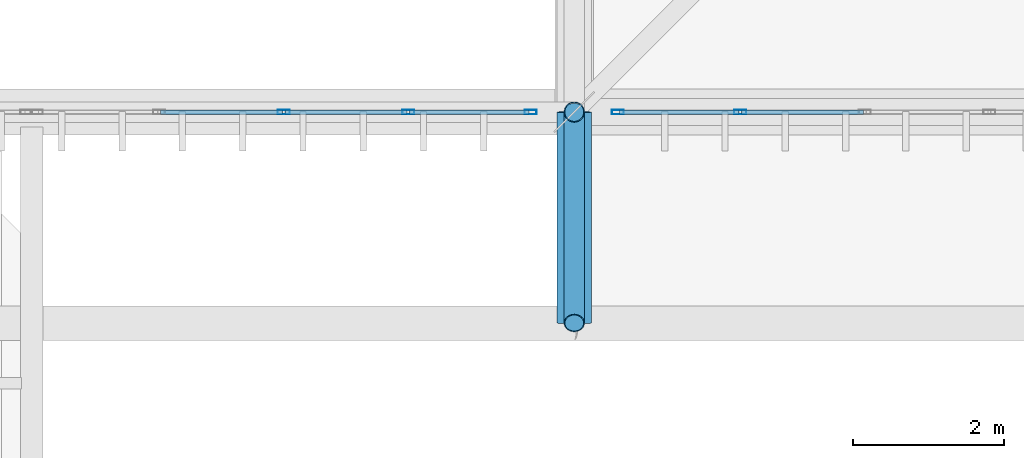
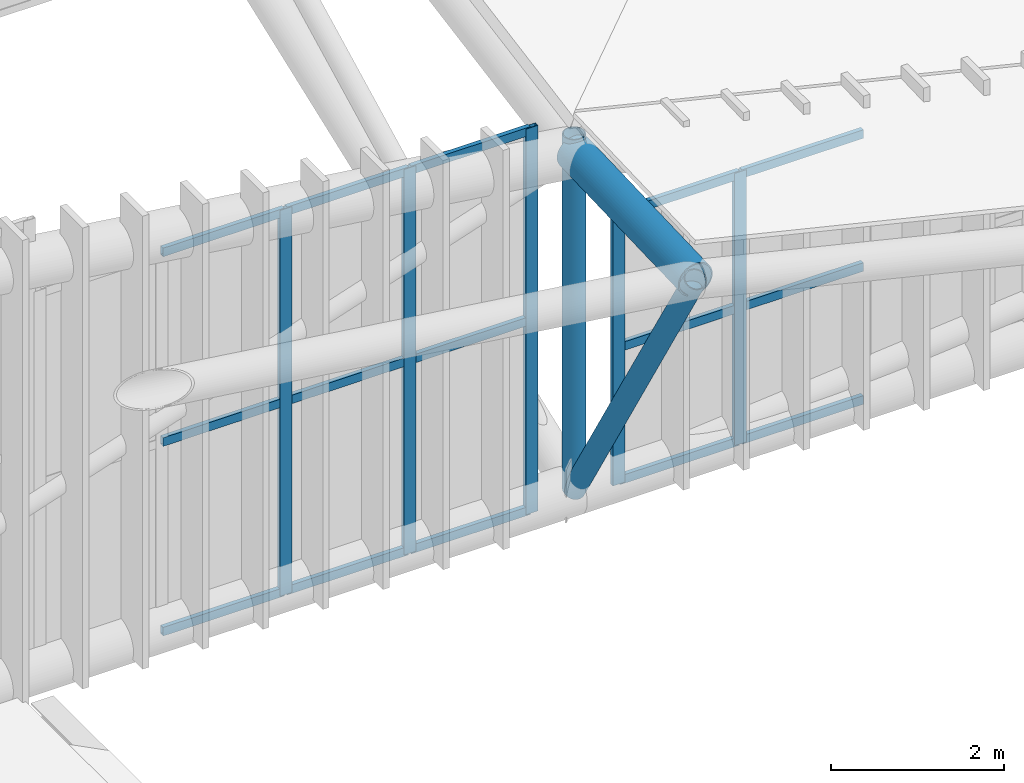
# One storey, part 109 of 397: 22 members, 1 beam, 2 elements without a shape of their own.
"""IFC4 building model written with IfcOpenShell, lengths in metres."""

from ifc_helpers import new_model, si_unit, direction, frame, origin, origin_2d, place, context, subcontext, project, spatial, hollow_rectangle, hollow_circle, extrude, material, material_profile, profile_set, type_object, element, aggregate, save


model = new_model("IFC4")

# Units and contexts
model_context = context("Model", 3, precision=1e-05, world=origin(), true_north=direction((0.0, 1.0)))
body_context = subcontext(model_context, "Body", "Model", "MODEL_VIEW")
ifc_project = project(units=[si_unit("LENGTHUNIT", "METRE"), si_unit("AREAUNIT", "SQUARE_METRE"), si_unit("VOLUMEUNIT", "CUBIC_METRE"), si_unit("PLANEANGLEUNIT", "RADIAN"), si_unit("MASSUNIT", "GRAM", prefix="KILO")], contexts=[model_context])

# Site, building, storey
site_placement = place(None, origin())
site = spatial("IfcSite", under=ifc_project, at=site_placement, CompositionType="ELEMENT")
building_placement = place(site_placement, origin())
building = spatial("IfcBuilding", under=site, at=building_placement, Name="Qandorah Velis Arena", CompositionType="ELEMENT")
storey_placement = place(building_placement, frame((0.0, 0.0, 27.5)))
storey = spatial("IfcBuildingStorey", under=building, at=storey_placement, Name="RF", CompositionType="ELEMENT", Elevation=27.5)

# Curtain wall, members
ifc_material_1 = material(Name="Solar-control low-E double glazing", Category="glass")
curtain_wall_type = type_object("IfcCurtainWallType", Name="ARC-CW-SYS23", PredefinedType="USERDEFINED", material=ifc_material_1)
curtain_wall_1_placement = place(storey_placement, origin())
curtain_wall_1 = element("IfcCurtainWall", 1, at=curtain_wall_1_placement, inside=storey, type_object=curtain_wall_type, Name="Unitised curtain wall CROWN-3-06S2", ObjectType="UNITISED CURTAIN WALL", PredefinedType="USERDEFINED")
ifc_material_2 = material(Name="Champagne-bronze anodized aluminium 6063-T6", Category="aluminium")
ifc_material_profile_1 = material_profile(ifc_material_2, hollow_rectangle(XDim=0.06005859375, YDim=0.159912109375, WallThickness=0.00341796875, at=origin_2d()), Name="ALU MULLION 60x160")
ifc_profile_set_1 = profile_set([ifc_material_profile_1], Name="Champagne-bronze anodized aluminium 6063-T6")
member_type_1 = type_object("IfcMemberType", Name="ARC-CWM-160", PredefinedType="MULLION", material=ifc_profile_set_1)
member_1_placement = place(storey_placement, frame((96.945068359375, 14.39990234375, -0.014892578125), z_axis=(0.0, 0.0, 1.0), x_axis=(0.0, 1.0, 0.0)))
member_1 = element("IfcMember", 2, at=member_1_placement, type_object=member_type_1, Name="CW23 mullion 3", PredefinedType="MULLION", context=body_context, shape_type="SweptSolid", body=[
    extrude(hollow_rectangle(XDim=0.06005859375, YDim=0.159912109375, WallThickness=0.00341796875, at=origin_2d()), origin(), (0.0, 0.0, 1.0), 5.430908203125),
])
member_2_placement = place(storey_placement, frame((98.597412109375, 14.39990234375, -0.014892578125), z_axis=(0.0, 0.0, 1.0), x_axis=(0.0, 1.0, 0.0)))
member_2 = element("IfcMember", 3, at=member_2_placement, type_object=member_type_1, Name="CW23 mullion 4", PredefinedType="MULLION", context=body_context, shape_type="SweptSolid", body=[
    extrude(hollow_rectangle(XDim=0.06005859375, YDim=0.159912109375, WallThickness=0.00341796875, at=origin_2d()), origin(), (0.0, 0.0, 1.0), 5.430908203125),
])
member_3_placement = place(storey_placement, frame((100.219970703125, 14.39990234375, -0.014892578125), z_axis=(0.0, 0.0, 1.0), x_axis=(0.0, 1.0, 0.0)))
member_3 = element("IfcMember", 4, at=member_3_placement, type_object=member_type_1, Name="CW23 mullion 5", PredefinedType="MULLION", context=body_context, shape_type="SweptSolid", body=[
    extrude(hollow_rectangle(XDim=0.06005859375, YDim=0.159912109375, WallThickness=0.00341796875, at=origin_2d()), origin(), (0.0, 0.0, 1.0), 5.430908203125),
])

curtain_wall_2_placement = place(storey_placement, origin())
curtain_wall_2 = element("IfcCurtainWall", 5, at=curtain_wall_2_placement, inside=storey, type_object=curtain_wall_type, Name="Unitised curtain wall CROWN-3-07S1", ObjectType="UNITISED CURTAIN WALL", PredefinedType="USERDEFINED")
member_4_placement = place(storey_placement, frame((101.3798828125, 14.39990234375, -0.014892578125), z_axis=(0.0, 0.0, 1.0), x_axis=(0.0, 1.0, 0.0)))
member_4 = element("IfcMember", 6, at=member_4_placement, type_object=member_type_1, Name="CW23 mullion 1", PredefinedType="MULLION", context=body_context, shape_type="SweptSolid", body=[
    extrude(hollow_rectangle(XDim=0.06005859375, YDim=0.159912109375, WallThickness=0.00341796875, at=origin_2d()), origin(), (0.0, 0.0, 1.0), 3.83447265625),
])
member_5_placement = place(storey_placement, frame((103.00244140625, 14.39990234375, -0.014892578125), z_axis=(0.0, 0.0, 1.0), x_axis=(0.0, 1.0, 0.0)))
member_5 = element("IfcMember", 7, at=member_5_placement, type_object=member_type_1, Name="CW23 mullion 2", PredefinedType="MULLION", context=body_context, shape_type="SweptSolid", body=[
    extrude(hollow_rectangle(XDim=0.06005859375, YDim=0.159912109375, WallThickness=0.00341796875, at=origin_2d()), origin(), (0.0, 0.0, 1.0), 3.83447265625),
])

# Member
ifc_material_profile_2 = material_profile(ifc_material_2, hollow_rectangle(XDim=0.06005859375, YDim=0.1201171875, WallThickness=0.0029296875, at=origin_2d()), Name="ALU TRANSOM 60x120")
ifc_profile_set_2 = profile_set([ifc_material_profile_2], Name="Champagne-bronze anodized aluminium 6063-T6")
member_type_2 = type_object("IfcMemberType", Name="ARC-CWT-120", PredefinedType="USERDEFINED", material=ifc_profile_set_2)
member_6_placement = place(storey_placement, frame((95.310546875, 14.39990234375, 0.030029296875), z_axis=(1.0, 0.0, 0.0), x_axis=(0.0, 1.0, 0.0)))
member_6 = element("IfcMember", 8, at=member_6_placement, type_object=member_type_2, Name="CW23 transom 2.1", ObjectType="TRANSOM", PredefinedType="USERDEFINED", context=body_context, shape_type="SweptSolid", body=[
    extrude(hollow_rectangle(XDim=0.06005859375, YDim=0.1201171875, WallThickness=0.0029296875, at=origin_2d()), origin(), (0.0, 0.0, 1.0), 1.616455078125),
])

member_7_placement = place(storey_placement, frame((95.310546875, 14.39990234375, 2.700439453125), z_axis=(1.0, 0.0, 0.0), x_axis=(0.0, 1.0, 0.0)))
member_7 = element("IfcMember", 9, at=member_7_placement, type_object=member_type_2, Name="CW23 transom 2.2", ObjectType="TRANSOM", PredefinedType="USERDEFINED", context=body_context, shape_type="SweptSolid", body=[
    extrude(hollow_rectangle(XDim=0.06005859375, YDim=0.1201171875, WallThickness=0.0029296875, at=origin_2d()), origin(), (0.0, 0.0, 1.0), 1.616455078125),
])

member_8_placement = place(storey_placement, frame((95.310546875, 14.39990234375, 5.370849609375), z_axis=(1.0, 0.0, 0.0), x_axis=(0.0, 1.0, 0.0)))
member_8 = element("IfcMember", 10, at=member_8_placement, type_object=member_type_2, Name="CW23 transom 2.3", ObjectType="TRANSOM", PredefinedType="USERDEFINED", context=body_context, shape_type="SweptSolid", body=[
    extrude(hollow_rectangle(XDim=0.06005859375, YDim=0.1201171875, WallThickness=0.0029296875, at=origin_2d()), origin(), (0.0, 0.0, 1.0), 1.616455078125),
])

member_9_placement = place(storey_placement, frame((96.962890625, 14.39990234375, 0.030029296875), z_axis=(1.0, 0.0, 0.0), x_axis=(0.0, 1.0, 0.0)))
member_9 = element("IfcMember", 11, at=member_9_placement, type_object=member_type_2, Name="CW23 transom 3.1", ObjectType="TRANSOM", PredefinedType="USERDEFINED", context=body_context, shape_type="SweptSolid", body=[
    extrude(hollow_rectangle(XDim=0.06005859375, YDim=0.1201171875, WallThickness=0.0029296875, at=origin_2d()), origin(), (0.0, 0.0, 1.0), 1.61669921875),
])

member_10_placement = place(storey_placement, frame((96.962890625, 14.39990234375, 2.700439453125), z_axis=(1.0, 0.0, 0.0), x_axis=(0.0, 1.0, 0.0)))
member_10 = element("IfcMember", 12, at=member_10_placement, type_object=member_type_2, Name="CW23 transom 3.2", ObjectType="TRANSOM", PredefinedType="USERDEFINED", context=body_context, shape_type="SweptSolid", body=[
    extrude(hollow_rectangle(XDim=0.06005859375, YDim=0.1201171875, WallThickness=0.0029296875, at=origin_2d()), origin(), (0.0, 0.0, 1.0), 1.61669921875),
])

member_11_placement = place(storey_placement, frame((96.962890625, 14.39990234375, 5.370849609375), z_axis=(1.0, 0.0, 0.0), x_axis=(0.0, 1.0, 0.0)))
member_11 = element("IfcMember", 13, at=member_11_placement, type_object=member_type_2, Name="CW23 transom 3.3", ObjectType="TRANSOM", PredefinedType="USERDEFINED", context=body_context, shape_type="SweptSolid", body=[
    extrude(hollow_rectangle(XDim=0.06005859375, YDim=0.1201171875, WallThickness=0.0029296875, at=origin_2d()), origin(), (0.0, 0.0, 1.0), 1.61669921875),
])

member_12_placement = place(storey_placement, frame((98.615478515625, 14.39990234375, 0.030029296875), z_axis=(1.0, 0.0, 0.0), x_axis=(0.0, 1.0, 0.0)))
member_12 = element("IfcMember", 14, at=member_12_placement, type_object=member_type_2, Name="CW23 transom 4.1", ObjectType="TRANSOM", PredefinedType="USERDEFINED", context=body_context, shape_type="SweptSolid", body=[
    extrude(hollow_rectangle(XDim=0.06005859375, YDim=0.1201171875, WallThickness=0.0029296875, at=origin_2d()), origin(), (0.0, 0.0, 1.0), 1.58642578125),
])

member_13_placement = place(storey_placement, frame((98.615478515625, 14.39990234375, 2.700439453125), z_axis=(1.0, 0.0, 0.0), x_axis=(0.0, 1.0, 0.0)))
member_13 = element("IfcMember", 15, at=member_13_placement, type_object=member_type_2, Name="CW23 transom 4.2", ObjectType="TRANSOM", PredefinedType="USERDEFINED", context=body_context, shape_type="SweptSolid", body=[
    extrude(hollow_rectangle(XDim=0.06005859375, YDim=0.1201171875, WallThickness=0.0029296875, at=origin_2d()), origin(), (0.0, 0.0, 1.0), 1.58642578125),
])

member_14_placement = place(storey_placement, frame((98.615478515625, 14.39990234375, 5.370849609375), z_axis=(1.0, 0.0, 0.0), x_axis=(0.0, 1.0, 0.0)))
member_14 = element("IfcMember", 16, at=member_14_placement, type_object=member_type_2, Name="CW23 transom 4.3", ObjectType="TRANSOM", PredefinedType="USERDEFINED", context=body_context, shape_type="SweptSolid", body=[
    extrude(hollow_rectangle(XDim=0.06005859375, YDim=0.1201171875, WallThickness=0.0029296875, at=origin_2d()), origin(), (0.0, 0.0, 1.0), 1.58642578125),
])

aggregate(curtain_wall_1, [member_1, member_2, member_3, member_6, member_7, member_8, member_9, member_10, member_11, member_12, member_13, member_14])

member_15_placement = place(storey_placement, frame((101.39794921875, 14.39990234375, 0.030029296875), z_axis=(1.0, 0.0, 0.0), x_axis=(0.0, 1.0, 0.0)))
member_15 = element("IfcMember", 17, at=member_15_placement, type_object=member_type_2, Name="CW23 transom 1.1", ObjectType="TRANSOM", PredefinedType="USERDEFINED", context=body_context, shape_type="SweptSolid", body=[
    extrude(hollow_rectangle(XDim=0.06005859375, YDim=0.1201171875, WallThickness=0.0029296875, at=origin_2d()), origin(), (0.0, 0.0, 1.0), 1.586669921875),
])

member_16_placement = place(storey_placement, frame((101.39794921875, 14.39990234375, 1.90234375), z_axis=(1.0, 0.0, 0.0), x_axis=(0.0, 1.0, 0.0)))
member_16 = element("IfcMember", 18, at=member_16_placement, type_object=member_type_2, Name="CW23 transom 1.2", ObjectType="TRANSOM", PredefinedType="USERDEFINED", context=body_context, shape_type="SweptSolid", body=[
    extrude(hollow_rectangle(XDim=0.06005859375, YDim=0.1201171875, WallThickness=0.0029296875, at=origin_2d()), origin(), (0.0, 0.0, 1.0), 1.586669921875),
])

member_17_placement = place(storey_placement, frame((101.39794921875, 14.39990234375, 3.774658203125), z_axis=(1.0, 0.0, 0.0), x_axis=(0.0, 1.0, 0.0)))
member_17 = element("IfcMember", 19, at=member_17_placement, type_object=member_type_2, Name="CW23 transom 1.3", ObjectType="TRANSOM", PredefinedType="USERDEFINED", context=body_context, shape_type="SweptSolid", body=[
    extrude(hollow_rectangle(XDim=0.06005859375, YDim=0.1201171875, WallThickness=0.0029296875, at=origin_2d()), origin(), (0.0, 0.0, 1.0), 1.586669921875),
])

member_18_placement = place(storey_placement, frame((103.0205078125, 14.39990234375, 0.030029296875), z_axis=(1.0, 0.0, 0.0), x_axis=(0.0, 1.0, 0.0)))
member_18 = element("IfcMember", 20, at=member_18_placement, type_object=member_type_2, Name="CW23 transom 2.1", ObjectType="TRANSOM", PredefinedType="USERDEFINED", context=body_context, shape_type="SweptSolid", body=[
    extrude(hollow_rectangle(XDim=0.06005859375, YDim=0.1201171875, WallThickness=0.0029296875, at=origin_2d()), origin(), (0.0, 0.0, 1.0), 1.616455078125),
])

member_19_placement = place(storey_placement, frame((103.0205078125, 14.39990234375, 1.90234375), z_axis=(1.0, 0.0, 0.0), x_axis=(0.0, 1.0, 0.0)))
member_19 = element("IfcMember", 21, at=member_19_placement, type_object=member_type_2, Name="CW23 transom 2.2", ObjectType="TRANSOM", PredefinedType="USERDEFINED", context=body_context, shape_type="SweptSolid", body=[
    extrude(hollow_rectangle(XDim=0.06005859375, YDim=0.1201171875, WallThickness=0.0029296875, at=origin_2d()), origin(), (0.0, 0.0, 1.0), 1.616455078125),
])

member_20_placement = place(storey_placement, frame((103.0205078125, 14.39990234375, 3.774658203125), z_axis=(1.0, 0.0, 0.0), x_axis=(0.0, 1.0, 0.0)))
member_20 = element("IfcMember", 22, at=member_20_placement, type_object=member_type_2, Name="CW23 transom 2.3", ObjectType="TRANSOM", PredefinedType="USERDEFINED", context=body_context, shape_type="SweptSolid", body=[
    extrude(hollow_rectangle(XDim=0.06005859375, YDim=0.1201171875, WallThickness=0.0029296875, at=origin_2d()), origin(), (0.0, 0.0, 1.0), 1.616455078125),
])

aggregate(curtain_wall_2, [member_4, member_5, member_15, member_16, member_17, member_18, member_19, member_20])

# Beam
ifc_material_3 = material(Name="Steel S355", Category="steel")
ifc_material_profile_3 = material_profile(ifc_material_3, hollow_circle(Radius=0.228515625, WallThickness=0.01611328125, at=origin_2d()), Name="CHS 457x16")
ifc_profile_set_3 = profile_set([ifc_material_profile_3], Name="Steel S355")
beam_type = type_object("IfcBeamType", Name="STR-SFC-CHS457X16", PredefinedType="USERDEFINED", material=ifc_profile_set_3)
beam_placement = place(storey_placement, frame((100.800048828125, 14.39990234375, 4.851806640625), z_axis=(0.0, -0.999364629289, -0.035641797469), x_axis=(1.0, 0.0, 0.0)))
element("IfcBeam", 23, at=beam_placement, inside=storey, type_object=beam_type, Name="Space frame eave outrigger S-6", ObjectType="ROOF TRUSS", PredefinedType="USERDEFINED", context=body_context, shape_type="SweptSolid", body=[
    extrude(hollow_circle(Radius=0.228515625, WallThickness=0.01611328125, at=origin_2d()), origin(), (0.0, 0.0, 1.0), 2.801513671875),
])

# Members
ifc_material_profile_4 = material_profile(ifc_material_3, hollow_circle(Radius=0.136474609375, WallThickness=0.012451171875, at=origin_2d()), Name="CHS 273x12.5")
ifc_profile_set_4 = profile_set([ifc_material_profile_4], Name="Steel S355")
member_type_3 = type_object("IfcMemberType", Name="STR-SFD-CHS273X12", PredefinedType="STRUT", material=ifc_profile_set_4)
member_21_placement = place(storey_placement, frame((100.800048828125, 14.39990234375, 0.10009765625), z_axis=(0.0, 0.0, 1.0), x_axis=(1.0, 0.0, 0.0)))
element("IfcMember", 24, at=member_21_placement, inside=storey, type_object=member_type_3, Name="Space frame roof vertical post 6.0", PredefinedType="STRUT", context=body_context, shape_type="SweptSolid", body=[
    extrude(hollow_circle(Radius=0.136474609375, WallThickness=0.012451171875, at=origin_2d()), origin(), (0.0, 0.0, 1.0), 5.01171875),
])
member_22_placement = place(storey_placement, frame((100.800048828125, 14.39990234375, 0.10009765625), z_axis=(0.0, -0.515672327001, 0.856785884084), x_axis=(1.0, 0.0, 0.0)))
element("IfcMember", 25, at=member_22_placement, inside=storey, type_object=member_type_3, Name="Space frame eave raking strut S-6", PredefinedType="STRUT", context=body_context, shape_type="SweptSolid", body=[
    extrude(hollow_circle(Radius=0.136474609375, WallThickness=0.012451171875, at=origin_2d()), origin(), (0.0, 0.0, 1.0), 5.429443359375),
])

save(model, "model.ifc")
